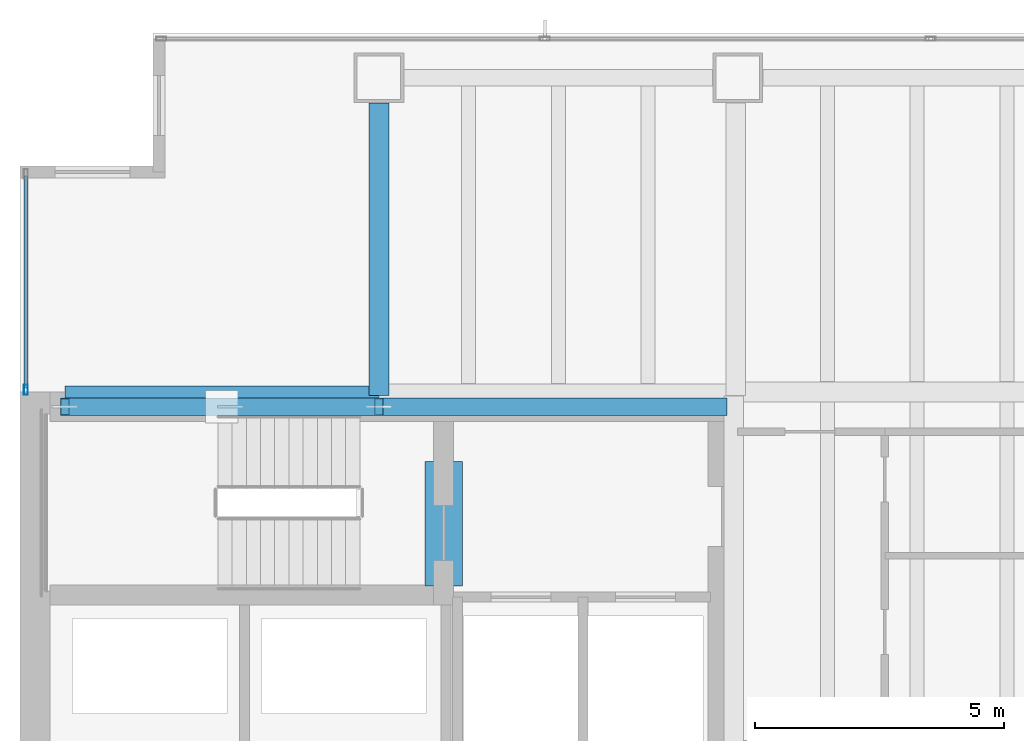
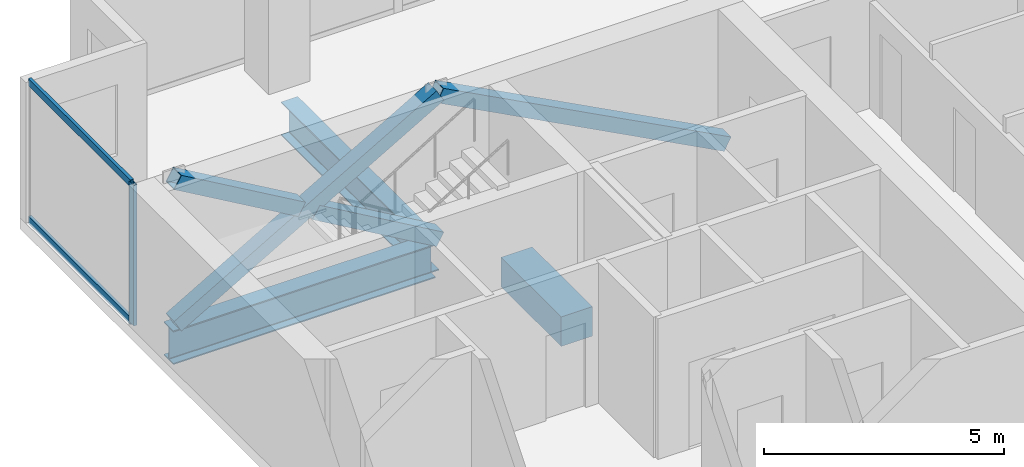
# One storey, part 14 of 25: 7 members, 3 beams, 1 element without a shape of its own.
"""IFC4 building model written with IfcOpenShell, lengths in metres."""

from ifc_helpers import new_model, si_unit, direction, frame, origin, origin_2d, place, context, subcontext, project, spatial, rectangle, hollow_rectangle, i_section, extrude, material, material_profile, profile_set, type_object, element, aggregate, save


model = new_model("IFC4")

# Units and contexts
model_context = context("Model", 3, precision=1e-05, world=origin(), true_north=direction((0.0, 1.0)))
body_context = subcontext(model_context, "Body", "Model", "MODEL_VIEW")
ifc_project = project(units=[si_unit("LENGTHUNIT", "METRE"), si_unit("AREAUNIT", "SQUARE_METRE"), si_unit("VOLUMEUNIT", "CUBIC_METRE"), si_unit("PLANEANGLEUNIT", "RADIAN"), si_unit("MASSUNIT", "GRAM", prefix="KILO")], contexts=[model_context])

# Site, building, storey
site_placement = place(None, origin())
site = spatial("IfcSite", under=ifc_project, at=site_placement, CompositionType="ELEMENT")
building_placement = place(site_placement, origin())
building = spatial("IfcBuilding", under=site, at=building_placement, Name="Cobrela Telecom Tower", CompositionType="ELEMENT")
storey_placement = place(building_placement, frame((0.0, 0.0, 58.10009765625)))
storey = spatial("IfcBuildingStorey", under=building, at=storey_placement, Name="L14", CompositionType="ELEMENT", Elevation=58.10009765625)

# Beams
ifc_material_1 = material(Name="Concrete C40/50", Category="concrete")
ifc_material_profile_1 = material_profile(ifc_material_1, rectangle(XDim=0.75, YDim=0.75, at=origin_2d()), Name="RC 750x750")
ifc_profile_set_1 = profile_set([ifc_material_profile_1], Name="Concrete C40/50")
beam_type_1 = type_object("IfcBeamType", Name="BM-COUP-RC", PredefinedType="LINTEL", material=ifc_profile_set_1)
beam_1_placement = place(storey_placement, frame((8.5, 32.10009765625, -0.630126953125), z_axis=(0.0, 1.0, 0.0), x_axis=(-1.0, 0.0, 0.0)))
element("IfcBeam", 1, at=beam_1_placement, inside=storey, type_object=beam_type_1, Name="L14 Core Coupling Lintel Beam", PredefinedType="LINTEL", context=body_context, shape_type="SweptSolid", body=[
    extrude(rectangle(XDim=0.75, YDim=0.75, at=origin_2d()), origin(), (0.0, 0.0, 1.0), 2.5),
])
ifc_material_2 = material(Name="Steel ASTM A992 Grade 50", Category="steel")
ifc_material_profile_2 = material_profile(ifc_material_2, i_section(OverallWidth=0.39892578125, OverallDepth=0.85595703125, WebThickness=0.018310546875, FlangeThickness=0.029296875, FilletRadius=0.02001953125, at=origin_2d()), Name="W33X201")
ifc_profile_set_2 = profile_set([ifc_material_profile_2], Name="Steel ASTM A992 Grade 50")
beam_type_2 = type_object("IfcBeamType", Name="BM-GIRD-03", PredefinedType="USERDEFINED", material=ifc_profile_set_2)
beam_2_placement = place(storey_placement, frame((0.905029296875, 35.919921875, -0.7080078125), z_axis=(1.0, 0.0, 0.0), x_axis=(0.0, 1.0, 0.0)))
element("IfcBeam", 2, at=beam_2_placement, inside=storey, type_object=beam_type_2, Name="L14 Primary Girder X25", ObjectType="GIRDER", PredefinedType="USERDEFINED", context=body_context, shape_type="SweptSolid", body=[
    extrude(i_section(OverallWidth=0.39892578125, OverallDepth=0.85595703125, WebThickness=0.018310546875, FlangeThickness=0.029296875, FilletRadius=0.02001953125, at=origin_2d()), origin(), (0.0, 0.0, 1.0), 6.2900390625),
])
beam_3_placement = place(storey_placement, frame((7.199951171875, 35.925048828125, -0.7080078125), z_axis=(0.0, 1.0, 0.0), x_axis=(-1.0, 0.0, 0.0)))
element("IfcBeam", 3, at=beam_3_placement, inside=storey, type_object=beam_type_2, Name="L14 Primary Girder Y33", ObjectType="GIRDER", PredefinedType="USERDEFINED", context=body_context, shape_type="SweptSolid", body=[
    extrude(i_section(OverallWidth=0.39892578125, OverallDepth=0.85595703125, WebThickness=0.018310546875, FlangeThickness=0.029296875, FilletRadius=0.02001953125, at=origin_2d()), origin(), (0.0, 0.0, 1.0), 5.869873046875),
])

# Curtain wall, members
ifc_material_3 = material(Name="Anodized Bronze Aluminium 6063-T6", Category="aluminium")
curtain_wall_type = type_object("IfcCurtainWallType", Name="CW-SYS-DATA", PredefinedType="USERDEFINED", material=ifc_material_3)
curtain_wall_placement = place(storey_placement, origin())
curtain_wall = element("IfcCurtainWall", 4, at=curtain_wall_placement, inside=storey, type_object=curtain_wall_type, Name="L14 Unitised Bronze Curtain Wall 04", ObjectType="UNITISED CURTAIN WALL", PredefinedType="USERDEFINED")
ifc_material_profile_3 = material_profile(ifc_material_3, hollow_rectangle(XDim=0.080078125, YDim=0.199951171875, WallThickness=0.00390625, at=origin_2d()), Name="ALU 80x200x4")
ifc_profile_set_3 = profile_set([ifc_material_profile_3], Name="Anodized Bronze Aluminium 6063-T6")
member_type_1 = type_object("IfcMemberType", Name="CW-SYS-DATA-MUL", PredefinedType="MULLION", material=ifc_profile_set_3)
member_1_placement = place(storey_placement, frame((0.1201171875, 36.0400390625, 0.0), z_axis=(0.0, 0.0, 1.0), x_axis=(-1.0, 0.0, 0.0)))
member_1 = element("IfcMember", 5, at=member_1_placement, type_object=member_type_1, Name="CW-DATA mullion 1", PredefinedType="MULLION", context=body_context, shape_type="SweptSolid", body=[
    extrude(hollow_rectangle(XDim=0.080078125, YDim=0.199951171875, WallThickness=0.00390625, at=origin_2d()), origin(), (0.0, 0.0, 1.0), 3.56982421875),
])
ifc_material_profile_4 = material_profile(ifc_material_3, hollow_rectangle(XDim=0.074951171875, YDim=0.179931640625, WallThickness=0.00390625, at=origin_2d()), Name="ALU 75x180x4")
ifc_profile_set_4 = profile_set([ifc_material_profile_4], Name="Anodized Bronze Aluminium 6063-T6")
member_type_2 = type_object("IfcMemberType", Name="CW-SYS-DATA-TRN", PredefinedType="USERDEFINED", material=ifc_profile_set_4)
member_2_placement = place(storey_placement, frame((0.1201171875, 36.080078125, 0.037353515625), z_axis=(0.0, 1.0, 0.0), x_axis=(-1.0, 0.0, 0.0)))
member_2 = element("IfcMember", 6, at=member_2_placement, type_object=member_type_2, Name="CW-DATA transom 1.1", ObjectType="TRANSOM", PredefinedType="USERDEFINED", context=body_context, shape_type="SweptSolid", body=[
    extrude(hollow_rectangle(XDim=0.074951171875, YDim=0.179931640625, WallThickness=0.00390625, at=origin_2d()), origin(), (0.0, 0.0, 1.0), 4.25),
])
member_3_placement = place(storey_placement, frame((0.1201171875, 36.080078125, 3.532470703125), z_axis=(0.0, 1.0, 0.0), x_axis=(-1.0, 0.0, 0.0)))
member_3 = element("IfcMember", 7, at=member_3_placement, type_object=member_type_2, Name="CW-DATA transom 1.2", ObjectType="TRANSOM", PredefinedType="USERDEFINED", context=body_context, shape_type="SweptSolid", body=[
    extrude(hollow_rectangle(XDim=0.074951171875, YDim=0.179931640625, WallThickness=0.00390625, at=origin_2d()), origin(), (0.0, 0.0, 1.0), 4.25),
])
aggregate(curtain_wall, [member_1, member_2, member_3])

# Members
ifc_material_4 = material(Name="Steel ASTM A572 Grade 50", Category="steel")
ifc_material_profile_5 = material_profile(ifc_material_4, hollow_rectangle(XDim=0.35009765625, YDim=0.35009765625, WallThickness=0.01611328125, at=origin_2d()), Name="HSS 350x350x16")
ifc_profile_set_5 = profile_set([ifc_material_profile_5], Name="Steel ASTM A572 Grade 50")
member_type_3 = type_object("IfcMemberType", Name="MBR-EXO-02", PredefinedType="BRACE", material=ifc_profile_set_5)
member_4_placement = place(storey_placement, frame((0.89990234375, 35.699951171875, -0.0400390625), z_axis=(0.865277025542, 0.0, 0.501293994647), x_axis=(0.0, 1.0, 0.0)))
element("IfcMember", 8, at=member_4_placement, inside=storey, type_object=member_type_3, Name="L14 Core Flange Steel X-Brace Continuous A", PredefinedType="BRACE", context=body_context, shape_type="SweptSolid", body=[
    extrude(hollow_rectangle(XDim=0.35009765625, YDim=0.35009765625, WallThickness=0.01611328125, at=origin_2d()), origin(), (0.0, 0.0, 1.0), 7.281005859375),
])
for number, where, z_axis, x_axis, name in (
    (9, (7.199951171875, 35.699951171875, -0.0400390625), (-0.865296850073, 0.0, 0.501259774223), (0.0, -1.0, 0.0), "L14 Core Flange Steel X-Brace Split B1"),
    (10, (3.88037109375, 35.699951171875, 1.88330078125), (-0.865296850073, 0.0, 0.501259774223), (0.0, -1.0, 0.0), "L14 Core Flange Steel X-Brace Split B2"),
):
    element("IfcMember", number, at=place(storey_placement, frame(where, z_axis=z_axis, x_axis=x_axis)), inside=storey, type_object=member_type_3, Name=name, PredefinedType="BRACE", context=body_context, shape_type="SweptSolid", body=[
        extrude(hollow_rectangle(XDim=0.35009765625, YDim=0.35009765625, WallThickness=0.01611328125, at=origin_2d()), origin(), (0.0, 0.0, 1.0), 3.4443359375),
    ])
member_5_placement = place(storey_placement, frame((14.10009765625, 35.699951171875, -0.0400390625), z_axis=(-0.883952947778, 0.0, 0.467575861348), x_axis=(0.0, -1.0, 0.0)))
element("IfcMember", 11, at=member_5_placement, inside=storey, type_object=member_type_3, Name="L14 Core Flange Steel Brace N2", PredefinedType="BRACE", context=body_context, shape_type="SweptSolid", body=[
    extrude(hollow_rectangle(XDim=0.35009765625, YDim=0.35009765625, WallThickness=0.01611328125, at=origin_2d()), origin(), (0.0, 0.0, 1.0), 7.805908203125),
])

save(model, "model.ifc")
